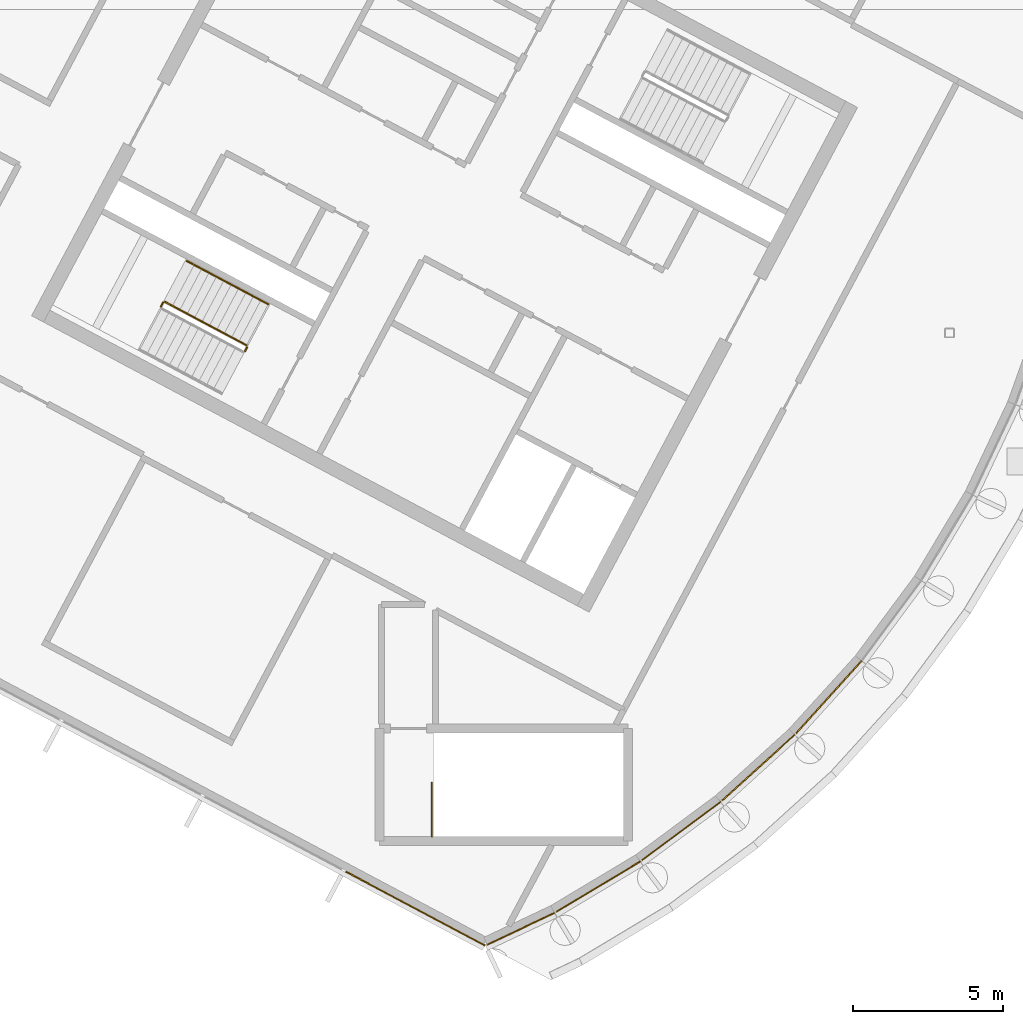
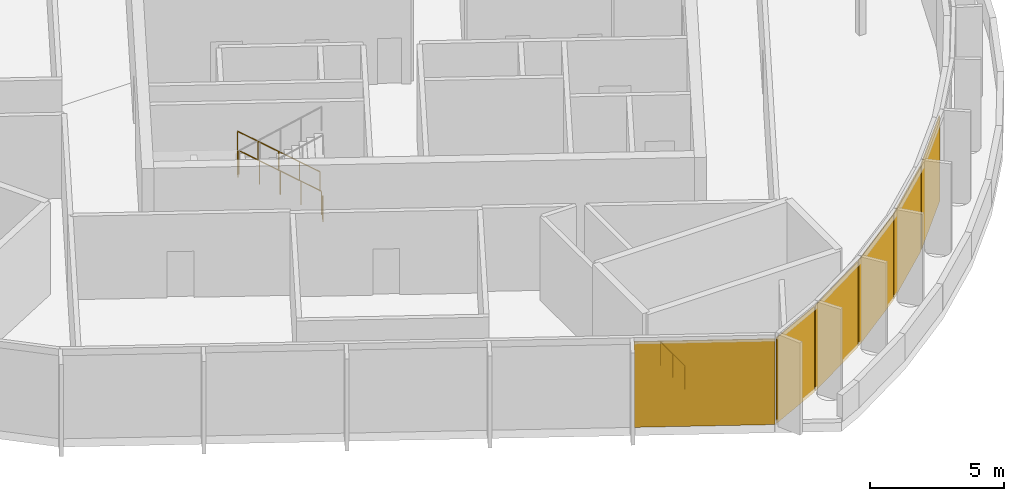
# One storey, part 10 of 13: 6 coverings, 5 railings, 6 elements without a shape of their own.
"""IFC4 building model written with IfcOpenShell, lengths in metres."""

import ifcopenshell
import ifcopenshell.guid

model = None  # the IFC model being written
_history = None  # IfcOwnerHistory: only IFC2X3 demands one
_inside = {}  # id of a spatial element -> (the spatial element, [elements in it])
_under = {}  # id of a project, library or spatial element -> (it, [spatial elements below it])
_declared = {}  # id of a project -> (the project, [libraries it declares])
_typed = {}  # id of a type object -> (the type object, [elements of that type])
_made_of = {}  # id of a material, layer set ... -> (it, [elements and type objects made of it])


def new_model(schema):
    """Start an empty IFC model of exactly this schema.

    Asked for "IFC4X3", IfcOpenShell would pick the latest addendum, in which some entities
    have other attributes; the version numbers below select the first issue.
    IFC2X3 requires an IfcOwnerHistory on every rooted entity: one is made here for all.
    """
    global model, _history
    if schema == "IFC4X3":
        model = ifcopenshell.file(schema_version=(4, 3, 0, 0))
    else:
        model = ifcopenshell.file(schema=schema)
    _inside.clear()
    _under.clear()
    _declared.clear()
    _typed.clear()
    _made_of.clear()
    _history = None
    if model.schema == "IFC2X3":
        org = make("IfcOrganization", Name="unknown")
        user = make(
            "IfcPersonAndOrganization",
            ThePerson=make("IfcPerson", FamilyName="unknown"),
            TheOrganization=org,
        )
        app = make(
            "IfcApplication",
            ApplicationDeveloper=org,
            Version="unknown",
            ApplicationFullName="unknown",
            ApplicationIdentifier="unknown",
        )
        _history = make(
            "IfcOwnerHistory",
            OwningUser=user,
            OwningApplication=app,
            ChangeAction="ADDED",
            CreationDate=0,
        )
    return model


def make(cls, **values):
    """One entity of the class cls with the attributes given. An attribute that is None is left unset."""
    return model.create_entity(
        cls, **{name: value for name, value in values.items() if value is not None}
    )


def rooted(cls, **values):
    """An entity with a GlobalId (a new one), such as an element, a storey or a relation."""
    return make(cls, GlobalId=ifcopenshell.guid.new(), OwnerHistory=_history, **values)


def si_unit(unit_type, name, prefix=None):
    """IfcSIUnit, for example si_unit("LENGTHUNIT", "METRE", prefix="MILLI")."""
    return make("IfcSIUnit", UnitType=unit_type, Prefix=prefix, Name=name)


def assignment(units):
    """IfcUnitAssignment: the units of a project."""
    return None if units is None else make("IfcUnitAssignment", Units=units)


def point(xyz):
    """IfcCartesianPoint."""
    return None if xyz is None else make("IfcCartesianPoint", Coordinates=xyz)


def direction(xyz):
    """IfcDirection."""
    return None if xyz is None else make("IfcDirection", DirectionRatios=xyz)


def frame(location, z_axis=None, x_axis=None):
    """IfcAxis2Placement3D, a coordinate frame: its origin and axes. An axis left out is left unset."""
    return make(
        "IfcAxis2Placement3D",
        Location=point(location),
        Axis=direction(z_axis),
        RefDirection=direction(x_axis),
    )


def frame_2d(location, x_axis=None):
    """IfcAxis2Placement2D, a coordinate frame in the plane: its origin and x axis."""
    return make(
        "IfcAxis2Placement2D", Location=point(location), RefDirection=direction(x_axis)
    )


def origin():
    """The frame at (0, 0, 0) with its axes left unset."""
    return frame((0.0, 0.0, 0.0))


def origin_2d():
    """The frame at (0, 0) in the plane with its x axis left unset."""
    return frame_2d((0.0, 0.0))


def place(relative_to, where):
    """IfcLocalPlacement: puts the frame where relative to a parent placement (None: the world)."""
    return make(
        "IfcLocalPlacement", PlacementRelTo=relative_to, RelativePlacement=where
    )


def context(
    kind, dimensions, precision=None, world=None, true_north=None, identifier=None
):
    """IfcGeometricRepresentationContext, for example the 3D "Model" context."""
    return make(
        "IfcGeometricRepresentationContext",
        ContextIdentifier=identifier,
        ContextType=kind,
        CoordinateSpaceDimension=dimensions,
        Precision=precision,
        WorldCoordinateSystem=world,
        TrueNorth=true_north,
    )


def subcontext(parent, identifier, kind, view, scale=None):
    """IfcGeometricRepresentationSubContext, for example "Body" below "Model"."""
    return make(
        "IfcGeometricRepresentationSubContext",
        ContextIdentifier=identifier,
        ContextType=kind,
        ParentContext=parent,
        TargetScale=scale,
        TargetView=view,
    )


def project(units=None, contexts=None):
    """IfcProject with its units and contexts."""
    return rooted(
        "IfcProject",
        Name="project",
        RepresentationContexts=contexts,
        UnitsInContext=assignment(units),
    )


def spatial(cls, under=None, at=None, **own):
    """A site, building, storey or space (cls), placed at a placement, below another one or the project."""
    s = rooted(cls, ObjectPlacement=at, **own)
    if under is not None:
        _under.setdefault(under.id(), (under, []))[1].append(s)
    return s


def polyline(points):
    """IfcPolyline through the points."""
    return make("IfcPolyline", Points=[point(p) for p in points])


def profile(cls, at=None, kind="AREA", **sizes):
    """A parametric profile (cls). Its sizes go by their IFC names, for example OverallWidth=200.0."""
    return make(cls, ProfileType=kind, Position=at, **sizes)


def rectangle(**sizes):
    """IfcRectangleProfileDef."""
    return profile("IfcRectangleProfileDef", **sizes)


def outline(outer, holes=None, kind="AREA"):
    """IfcArbitraryClosedProfileDef: a profile drawn as a closed curve; with holes, ...WithVoids."""
    if holes is None:
        return make("IfcArbitraryClosedProfileDef", ProfileType=kind, OuterCurve=outer)
    return make(
        "IfcArbitraryProfileDefWithVoids",
        ProfileType=kind,
        OuterCurve=outer,
        InnerCurves=holes,
    )


def extrude(swept, where, along, depth):
    """IfcExtrudedAreaSolid: the profile swept, set in the frame where, extruded along a direction by depth."""
    return make(
        "IfcExtrudedAreaSolid",
        SweptArea=swept,
        Position=where,
        ExtrudedDirection=direction(along),
        Depth=depth,
    )


def shape(context_of_items, identifier, shape_type, items):
    """IfcShapeRepresentation: the items that make up one representation, for example the "Body"."""
    return make(
        "IfcShapeRepresentation",
        ContextOfItems=context_of_items,
        RepresentationIdentifier=identifier,
        RepresentationType=shape_type,
        Items=items,
    )


def material(Name=None, Category=None):
    """IfcMaterial."""
    return make("IfcMaterial", Name=Name, Category=Category)


def layer(
    of_material, thickness, ventilated=None, Name=None, Category=None, Priority=None
):
    """IfcMaterialLayer: one layer of a wall or slab, of a material (None: an air gap)."""
    return make(
        "IfcMaterialLayer",
        Material=of_material,
        LayerThickness=thickness,
        IsVentilated=ventilated,
        Name=Name,
        Category=Category,
        Priority=Priority,
    )


def layer_set(layers, Name=None):
    """IfcMaterialLayerSet."""
    return make("IfcMaterialLayerSet", MaterialLayers=layers, LayerSetName=Name)


def made_of(thing, what):
    """Note that an element or type object is made of a material, layer set ...; save() writes the relation."""
    if what is not None:
        _made_of.setdefault(what.id(), (what, []))[1].append(thing)
    return thing


def type_object(cls, material=None, **own):
    """A type object (cls), such as IfcWallType, which elements share."""
    return made_of(rooted(cls, **own), material)


def element(
    cls,
    number,
    at=None,
    inside=None,
    cuts=None,
    type_object=None,
    material=None,
    context=None,
    identifier="Body",
    shape_type=None,
    held_by="IfcProductDefinitionShape",
    body=None,
    shapes=None,
    **own,
):
    """One element of the class cls, such as IfcWall. Its Tag is "e" and its number.

    at: its placement. inside: the storey or other place that contains it. cuts: it is an
    opening in that element (IfcRelVoidsElement). A single representation is given by context,
    identifier, shape_type and body (its items); several are given by shapes. held_by: the class
    of the entity that holds the representations. save() writes the other relations.
    """
    e = rooted(cls, Tag="e%d" % number, ObjectPlacement=at, **own)
    if body is not None:
        shapes = [shape(context, identifier, shape_type, body)]
    if shapes is not None:
        e.Representation = make(held_by, Representations=shapes)
    if inside is not None:
        _inside.setdefault(inside.id(), (inside, []))[1].append(e)
    if cuts is not None:
        rooted(
            "IfcRelVoidsElement", RelatingBuildingElement=cuts, RelatedOpeningElement=e
        )
    if type_object is not None:
        _typed.setdefault(type_object.id(), (type_object, []))[1].append(e)
    return made_of(e, material)


def aggregate(whole, parts):
    """IfcRelAggregates: a whole, such as a stair, and the parts it consists of."""
    return rooted("IfcRelAggregates", RelatingObject=whole, RelatedObjects=parts)


def save(model, path):
    """Write the relations noted so far, then the file.

    IfcRelAggregates (storeys below a building ...), IfcRelContainedInSpatialStructure (elements
    in a storey), IfcRelDefinesByType, IfcRelAssociatesMaterial and IfcRelDeclares: one each for
    every whole, place, type object, material and project.
    """
    for whole, parts in _under.values():
        aggregate(whole, parts)
    for where, things in _inside.values():
        rooted(
            "IfcRelContainedInSpatialStructure",
            RelatedElements=things,
            RelatingStructure=where,
        )
    for kind, things in _typed.values():
        rooted("IfcRelDefinesByType", RelatedObjects=things, RelatingType=kind)
    for what, things in _made_of.values():
        rooted("IfcRelAssociatesMaterial", RelatedObjects=things, RelatingMaterial=what)
    for by, libraries in _declared.values():
        rooted("IfcRelDeclares", RelatingContext=by, RelatedDefinitions=libraries)
    model.write(path)


model = new_model("IFC4")

# Units and contexts
model_context = context("Model", 3, precision=1e-05, world=origin(), true_north=direction((0.0, 1.0)))
body_context = subcontext(model_context, "Body", "Model", "MODEL_VIEW")
ifc_project = project(units=[si_unit("LENGTHUNIT", "METRE"), si_unit("AREAUNIT", "SQUARE_METRE"), si_unit("VOLUMEUNIT", "CUBIC_METRE"), si_unit("PLANEANGLEUNIT", "RADIAN"), si_unit("MASSUNIT", "GRAM", prefix="KILO")], contexts=[model_context])

# Site, building, storey
site_placement = place(None, origin())
site = spatial("IfcSite", under=ifc_project, at=site_placement, CompositionType="ELEMENT")
building_placement = place(site_placement, origin())
building = spatial("IfcBuilding", under=site, at=building_placement, Name="Cormorant Relay Tower", CompositionType="ELEMENT")
storey_placement = place(building_placement, frame((0.0, 0.0, 353.39990234375)))
storey = spatial("IfcBuildingStorey", under=building, at=storey_placement, Name="C7", CompositionType="ELEMENT", Elevation=353.39990234375)

# Curtain wall, covering
ifc_material_1 = material(Name="Aluminium 6063-T6 anodised bronze", Category="aluminium")
ifc_layer_1 = layer(ifc_material_1, 0.199951171875)
ifc_layer_set_1 = layer_set([ifc_layer_1], Name="CW3 crown screen wall")
curtain_wall_type = type_object("IfcCurtainWallType", Name="CW3 crown screen wall", PredefinedType="NOTDEFINED", material=ifc_layer_set_1)
curtain_wall_1_placement = place(storey_placement, origin())
curtain_wall_1 = element("IfcCurtainWall", 1, at=curtain_wall_1_placement, inside=storey, type_object=curtain_wall_type, Name="CW3 curtain wall 1", PredefinedType="NOTDEFINED")
ifc_material_2 = material(Name="Perforated bronze anodised aluminium screen", Category="aluminium")
ifc_layer_2 = layer(ifc_material_2, 0.0400390625)
ifc_layer_set_2 = layer_set([ifc_layer_2], Name="CW3 perforated bronze screen panel 40")
covering_type = type_object("IfcCoveringType", Name="CW3 perforated bronze screen panel 40", PredefinedType="CLADDING", material=ifc_layer_set_2)
covering_1_placement = place(storey_placement, frame((-28.348876953125, -8.733154296875, 0.000244140625), z_axis=(0.0, 0.0, 1.0), x_axis=(0.882947592859, -0.469471562786, 0.0)))
covering_1 = element("IfcCovering", 2, at=covering_1_placement, type_object=covering_type, Name="CW3 panel X04", PredefinedType="CLADDING", context=body_context, shape_type="SweptSolid", body=[
    extrude(rectangle(XDim=5.265380859375, YDim=0.0400390625, at=origin_2d()), origin(), (0.0, 0.0, 1.0), 3.89990234375),
])
aggregate(curtain_wall_1, [covering_1])

curtain_wall_2_placement = place(storey_placement, origin())
curtain_wall_2 = element("IfcCurtainWall", 3, at=curtain_wall_2_placement, inside=storey, type_object=curtain_wall_type, Name="CW3 curtain wall 2", PredefinedType="NOTDEFINED")
covering_2_placement = place(storey_placement, frame((-24.817626953125, -9.407470703125, 0.000244140625), z_axis=(0.0, 0.0, 1.0), x_axis=(0.903989293123, 0.42755509343, 0.0)))
covering_2 = element("IfcCovering", 4, at=covering_2_placement, type_object=covering_type, Name="CW3 panel X00", PredefinedType="CLADDING", context=body_context, shape_type="SweptSolid", body=[
    extrude(rectangle(XDim=2.47998046875, YDim=0.0400390625, at=origin_2d()), origin(), (0.0, 0.0, 1.0), 3.89990234375),
])
aggregate(curtain_wall_2, [covering_2])

curtain_wall_3_placement = place(storey_placement, origin())
curtain_wall_3 = element("IfcCurtainWall", 5, at=curtain_wall_3_placement, inside=storey, type_object=curtain_wall_type, Name="CW3 curtain wall 3", PredefinedType="NOTDEFINED")
covering_3_placement = place(storey_placement, frame((-22.231689453125, -7.999267578125, 0.000244140625), z_axis=(0.0, 0.0, 1.0), x_axis=(0.85772861, 0.514102744193, 0.0)))
covering_3 = element("IfcCovering", 6, at=covering_3_placement, type_object=covering_type, Name="CW3 panel X00", PredefinedType="CLADDING", context=body_context, shape_type="SweptSolid", body=[
    extrude(rectangle(XDim=3.26171875, YDim=0.0400390625, at=origin_2d()), origin(), (0.0, 0.0, 1.0), 3.89990234375),
])
aggregate(curtain_wall_3, [covering_3])

curtain_wall_4_placement = place(storey_placement, origin())
curtain_wall_4 = element("IfcCurtainWall", 7, at=curtain_wall_4_placement, inside=storey, type_object=curtain_wall_type, Name="CW3 curtain wall 4", PredefinedType="NOTDEFINED")
covering_4_placement = place(storey_placement, frame((-19.461181640625, -6.143798828125, 0.000244140625), z_axis=(0.0, 0.0, 1.0), x_axis=(0.803207531481, 0.595699304492, 0.0)))
covering_4 = element("IfcCovering", 8, at=covering_4_placement, type_object=covering_type, Name="CW3 panel X00", PredefinedType="CLADDING", context=body_context, shape_type="SweptSolid", body=[
    extrude(rectangle(XDim=3.26171875, YDim=0.0400390625, at=origin_2d()), origin(), (0.0, 0.0, 1.0), 3.89990234375),
])
aggregate(curtain_wall_4, [covering_4])

curtain_wall_5_placement = place(storey_placement, origin())
curtain_wall_5 = element("IfcCurtainWall", 9, at=curtain_wall_5_placement, inside=storey, type_object=curtain_wall_type, Name="CW3 curtain wall 5", PredefinedType="NOTDEFINED")
covering_5_placement = place(storey_placement, frame((-16.885986328125, -4.025390625, 0.000244140625), z_axis=(0.0, 0.0, 1.0), x_axis=(0.740951125355, 0.671558954847, 0.0)))
covering_5 = element("IfcCovering", 10, at=covering_5_placement, type_object=covering_type, Name="CW3 panel X00", PredefinedType="CLADDING", context=body_context, shape_type="SweptSolid", body=[
    extrude(rectangle(XDim=3.26171875, YDim=0.0400390625, at=origin_2d()), origin(), (0.0, 0.0, 1.0), 3.89990234375),
])
aggregate(curtain_wall_5, [covering_5])

curtain_wall_6_placement = place(storey_placement, origin())
curtain_wall_6 = element("IfcCurtainWall", 11, at=curtain_wall_6_placement, inside=storey, type_object=curtain_wall_type, Name="CW3 curtain wall 6", PredefinedType="NOTDEFINED")
covering_6_placement = place(storey_placement, frame((-14.530517578125, -1.664794921875, 0.000244140625), z_axis=(0.0, 0.0, 1.0), x_axis=(0.671558954847, 0.740951125355, 0.0)))
covering_6 = element("IfcCovering", 12, at=covering_6_placement, type_object=covering_type, Name="CW3 panel X00", PredefinedType="CLADDING", context=body_context, shape_type="SweptSolid", body=[
    extrude(rectangle(XDim=3.26171875, YDim=0.0400390625, at=origin_2d()), origin(), (0.0, 0.0, 1.0), 3.89990234375),
])
aggregate(curtain_wall_6, [covering_6])

# Railings
ifc_material_3 = material(Name="Steel ASTM A572 Grade 50 (Fy 345 MPa)", Category="steel")
railing_type_1 = type_object("IfcRailingType", Name="Stair guard 1100", PredefinedType="GUARDRAIL", material=ifc_material_3)
railing_1_placement = place(storey_placement, frame((-33.9921875, 10.08935546875, 0.175048828125)))
element("IfcRailing", 13, at=railing_1_placement, inside=storey, type_object=railing_type_1, Name="C7 A2 stair guard 1", PredefinedType="GUARDRAIL", context=body_context, shape_type="SweptSolid", body=[
    extrude(outline(polyline([(0.022216796875, 0.00927734375), (0.00927734375, 0.022216796875), (-0.00927734375, 0.022216796875), (-0.022216796875, 0.00927734375), (-0.022216796875, -0.00927734375), (-0.00927734375, -0.022216796875), (0.00927734375, -0.022216796875), (0.022216796875, -0.00927734375), (0.022216796875, 0.00927734375)])), frame((0.0, 0.0, 1.076171875), z_axis=(-0.748727239859, 0.398124736663, 0.530003975787), x_axis=(-0.469489399267, -0.882938108802, 0.0)), (0.0, 0.0, 1.0), 3.632080078125),
    extrude(outline(polyline([(0.019287109375, 0.008056640625), (0.008056640625, 0.019287109375), (-0.008056640625, 0.019287109375), (-0.019287109375, 0.008056640625), (-0.019287109375, -0.008056640625), (-0.008056640625, -0.019287109375), (0.008056640625, -0.019287109375), (0.019287109375, -0.008056640625), (0.019287109375, 0.008056640625)])), origin(), (0.0, 0.0, 1.0), 1.052001953125),
    extrude(outline(polyline([(0.019287109375, 0.008056640625), (0.008056640625, 0.019287109375), (-0.008056640625, 0.019287109375), (-0.019287109375, 0.008056640625), (-0.019287109375, -0.008056640625), (-0.008056640625, -0.019287109375), (0.008056640625, -0.019287109375), (0.019287109375, -0.008056640625), (0.019287109375, 0.008056640625)])), frame((-0.679931640625, 0.361572265625, 0.481201171875)), (0.0, 0.0, 1.0), 1.052001953125),
    extrude(outline(polyline([(0.019287109375, 0.008056640625), (0.008056640625, 0.019287109375), (-0.008056640625, 0.019287109375), (-0.019287109375, 0.008056640625), (-0.019287109375, -0.008056640625), (-0.008056640625, -0.019287109375), (0.008056640625, -0.019287109375), (0.019287109375, -0.008056640625), (0.019287109375, 0.008056640625)])), frame((-1.35986328125, 0.72314453125, 0.96240234375)), (0.0, 0.0, 1.0), 1.052001953125),
    extrude(outline(polyline([(0.019287109375, 0.008056640625), (0.008056640625, 0.019287109375), (-0.008056640625, 0.019287109375), (-0.019287109375, 0.008056640625), (-0.019287109375, -0.008056640625), (-0.008056640625, -0.019287109375), (0.008056640625, -0.019287109375), (0.019287109375, -0.008056640625), (0.019287109375, 0.008056640625)])), frame((-2.03955078125, 1.08447265625, 1.44384765625)), (0.0, 0.0, 1.0), 1.052001953125),
    extrude(outline(polyline([(0.019287109375, 0.008056640625), (0.008056640625, 0.019287109375), (-0.008056640625, 0.019287109375), (-0.019287109375, 0.008056640625), (-0.019287109375, -0.008056640625), (-0.008056640625, -0.019287109375), (0.008056640625, -0.019287109375), (0.019287109375, -0.008056640625), (0.019287109375, 0.008056640625)])), frame((-2.719482421875, 1.446044921875, 1.925048828125)), (0.0, 0.0, 1.0), 1.052001953125),
])
railing_2_placement = place(storey_placement, frame((-36.779296875, 11.5146484375, 2.10009765625)))
element("IfcRailing", 14, at=railing_2_placement, inside=storey, type_object=railing_type_1, Name="C7 A2 stair guard 2", PredefinedType="GUARDRAIL", context=body_context, shape_type="SweptSolid", body=[
    extrude(outline(polyline([(0.022216796875, 0.00927734375), (0.00927734375, 0.022216796875), (-0.00927734375, 0.022216796875), (-0.022216796875, 0.00927734375), (-0.022216796875, -0.00927734375), (-0.00927734375, -0.022216796875), (0.00927734375, -0.022216796875), (0.022216796875, -0.00927734375), (0.022216796875, 0.00927734375)])), frame((0.0, 0.0, 1.076171875), z_axis=(-0.469234640946, -0.883073525669, 0.0), x_axis=(0.883073525669, -0.469234640946, 0.0)), (0.0, 0.0, 1.0), 0.14990234375),
    extrude(outline(polyline([(0.019287109375, 0.008056640625), (0.008056640625, 0.019287109375), (-0.008056640625, 0.019287109375), (-0.019287109375, 0.008056640625), (-0.019287109375, -0.008056640625), (-0.008056640625, -0.019287109375), (0.008056640625, -0.019287109375), (0.019287109375, -0.008056640625), (0.019287109375, 0.008056640625)])), origin(), (0.0, 0.0, 1.0), 1.052001953125),
    extrude(outline(polyline([(0.019287109375, 0.008056640625), (0.008056640625, 0.019287109375), (-0.008056640625, 0.019287109375), (-0.019287109375, 0.008056640625), (-0.019287109375, -0.008056640625), (-0.008056640625, -0.019287109375), (0.008056640625, -0.019287109375), (0.019287109375, -0.008056640625), (0.019287109375, 0.008056640625)])), frame((-0.0703125, -0.13232421875, 0.0)), (0.0, 0.0, 1.0), 1.052001953125),
])
railing_3_placement = place(storey_placement, frame((-33.971435546875, 10.021728515625, 0.0)))
element("IfcRailing", 15, at=railing_3_placement, inside=storey, type_object=railing_type_1, Name="C7 A2 stair guard 4", PredefinedType="GUARDRAIL", context=body_context, shape_type="SweptSolid", body=[
    extrude(outline(polyline([(0.022216796875, 0.00927734375), (0.00927734375, 0.022216796875), (-0.00927734375, 0.022216796875), (-0.022216796875, 0.00927734375), (-0.022216796875, -0.00927734375), (-0.00927734375, -0.022216796875), (0.00927734375, -0.022216796875), (0.022216796875, -0.00927734375), (0.022216796875, 0.00927734375)])), frame((0.0, 0.0, 1.076171875), z_axis=(-0.470503732759, -0.882398003998, 0.0), x_axis=(0.882398003998, -0.470503732759, 0.0)), (0.0, 0.0, 1.0), 0.14990234375),
    extrude(outline(polyline([(0.019287109375, 0.008056640625), (0.008056640625, 0.019287109375), (-0.008056640625, 0.019287109375), (-0.019287109375, 0.008056640625), (-0.019287109375, -0.008056640625), (-0.008056640625, -0.019287109375), (0.008056640625, -0.019287109375), (0.019287109375, -0.008056640625), (0.019287109375, 0.008056640625)])), origin(), (0.0, 0.0, 1.0), 1.052001953125),
    extrude(outline(polyline([(0.019287109375, 0.008056640625), (0.008056640625, 0.019287109375), (-0.008056640625, 0.019287109375), (-0.019287109375, 0.008056640625), (-0.019287109375, -0.008056640625), (-0.008056640625, -0.019287109375), (0.008056640625, -0.019287109375), (0.019287109375, -0.008056640625), (0.019287109375, 0.008056640625)])), frame((-0.070556640625, -0.13232421875, 0.0)), (0.0, 0.0, 1.0), 1.052001953125),
])
railing_4_placement = place(storey_placement, frame((-27.800048828125, -6.324951171875, 0.0)))
element("IfcRailing", 16, at=railing_4_placement, inside=storey, type_object=railing_type_1, Name="C7 RC1 top well guard 1", PredefinedType="GUARDRAIL", context=body_context, shape_type="SweptSolid", body=[
    extrude(outline(polyline([(0.022216796875, 0.00927734375), (0.00927734375, 0.022216796875), (-0.00927734375, 0.022216796875), (-0.022216796875, 0.00927734375), (-0.022216796875, -0.00927734375), (-0.00927734375, -0.022216796875), (0.00927734375, -0.022216796875), (0.022216796875, -0.00927734375), (0.022216796875, 0.00927734375)])), frame((0.0, 0.0, 1.076171875), z_axis=(0.0, 1.0, 0.0), x_axis=(-1.0, 0.0, 0.0)), (0.0, 0.0, 1.0), 1.800048828125),
    extrude(outline(polyline([(0.019287109375, 0.008056640625), (0.008056640625, 0.019287109375), (-0.008056640625, 0.019287109375), (-0.019287109375, 0.008056640625), (-0.019287109375, -0.008056640625), (-0.008056640625, -0.019287109375), (0.008056640625, -0.019287109375), (0.019287109375, -0.008056640625), (0.019287109375, 0.008056640625)])), origin(), (0.0, 0.0, 1.0), 1.052001953125),
    extrude(outline(polyline([(0.019287109375, 0.008056640625), (0.008056640625, 0.019287109375), (-0.008056640625, 0.019287109375), (-0.019287109375, 0.008056640625), (-0.019287109375, -0.008056640625), (-0.008056640625, -0.019287109375), (0.008056640625, -0.019287109375), (0.019287109375, -0.008056640625), (0.019287109375, 0.008056640625)])), frame((0.0, 0.89990234375, 0.0)), (0.0, 0.0, 1.0), 1.052001953125),
    extrude(outline(polyline([(0.019287109375, 0.008056640625), (0.008056640625, 0.019287109375), (-0.008056640625, 0.019287109375), (-0.019287109375, 0.008056640625), (-0.019287109375, -0.008056640625), (-0.008056640625, -0.019287109375), (0.008056640625, -0.019287109375), (0.019287109375, -0.008056640625), (0.019287109375, 0.008056640625)])), frame((0.0, 1.800048828125, 0.0)), (0.0, 0.0, 1.0), 1.052001953125),
])
ifc_material_4 = material(Name="Steel ASTM A572 Grade 50 (Fy 345 MPa)", Category="steel")
railing_type_2 = type_object("IfcRailingType", Name="Stair handrail 900", PredefinedType="HANDRAIL", material=ifc_material_4)
railing_5_placement = place(storey_placement, frame((-33.264404296875, 11.4580078125, 0.175048828125)))
element("IfcRailing", 17, at=railing_5_placement, inside=storey, type_object=railing_type_2, Name="C7 A2 stair handrail 1", PredefinedType="HANDRAIL", context=body_context, shape_type="SweptSolid", body=[
    extrude(outline(polyline([(0.022216796875, 0.00927734375), (0.00927734375, 0.022216796875), (-0.00927734375, 0.022216796875), (-0.022216796875, 0.00927734375), (-0.022216796875, -0.00927734375), (-0.00927734375, -0.022216796875), (0.00927734375, -0.022216796875), (0.022216796875, -0.00927734375), (0.022216796875, 0.00927734375)])), frame((0.0, 0.0, 0.8759765625), z_axis=(-0.748747275397, 0.39806817173, 0.530018158408), x_axis=(-0.469427602063, -0.882970965786, 0.0)), (0.0, 0.0, 1.0), 3.632080078125),
    extrude(outline(polyline([(0.019287109375, 0.008056640625), (0.008056640625, 0.019287109375), (-0.008056640625, 0.019287109375), (-0.019287109375, 0.008056640625), (-0.019287109375, -0.008056640625), (-0.008056640625, -0.019287109375), (0.008056640625, -0.019287109375), (0.019287109375, -0.008056640625), (0.019287109375, 0.008056640625)])), origin(), (0.0, 0.0, 1.0), 0.851806640625),
    extrude(outline(polyline([(0.019287109375, 0.008056640625), (0.008056640625, 0.019287109375), (-0.008056640625, 0.019287109375), (-0.019287109375, 0.008056640625), (-0.019287109375, -0.008056640625), (-0.008056640625, -0.019287109375), (0.008056640625, -0.019287109375), (0.019287109375, -0.008056640625), (0.019287109375, 0.008056640625)])), frame((-0.679931640625, 0.361328125, 0.481201171875)), (0.0, 0.0, 1.0), 0.851806640625),
    extrude(outline(polyline([(0.019287109375, 0.008056640625), (0.008056640625, 0.019287109375), (-0.008056640625, 0.019287109375), (-0.019287109375, 0.008056640625), (-0.019287109375, -0.008056640625), (-0.008056640625, -0.019287109375), (0.008056640625, -0.019287109375), (0.019287109375, -0.008056640625), (0.019287109375, 0.008056640625)])), frame((-1.35986328125, 0.722900390625, 0.96240234375)), (0.0, 0.0, 1.0), 0.851806640625),
    extrude(outline(polyline([(0.019287109375, 0.008056640625), (0.008056640625, 0.019287109375), (-0.008056640625, 0.019287109375), (-0.019287109375, 0.008056640625), (-0.019287109375, -0.008056640625), (-0.008056640625, -0.019287109375), (0.008056640625, -0.019287109375), (0.019287109375, -0.008056640625), (0.019287109375, 0.008056640625)])), frame((-2.03955078125, 1.08447265625, 1.44384765625)), (0.0, 0.0, 1.0), 0.851806640625),
    extrude(outline(polyline([(0.019287109375, 0.008056640625), (0.008056640625, 0.019287109375), (-0.008056640625, 0.019287109375), (-0.019287109375, 0.008056640625), (-0.019287109375, -0.008056640625), (-0.008056640625, -0.019287109375), (0.008056640625, -0.019287109375), (0.019287109375, -0.008056640625), (0.019287109375, 0.008056640625)])), frame((-2.719482421875, 1.44580078125, 1.925048828125)), (0.0, 0.0, 1.0), 0.851806640625),
])

save(model, "model.ifc")
